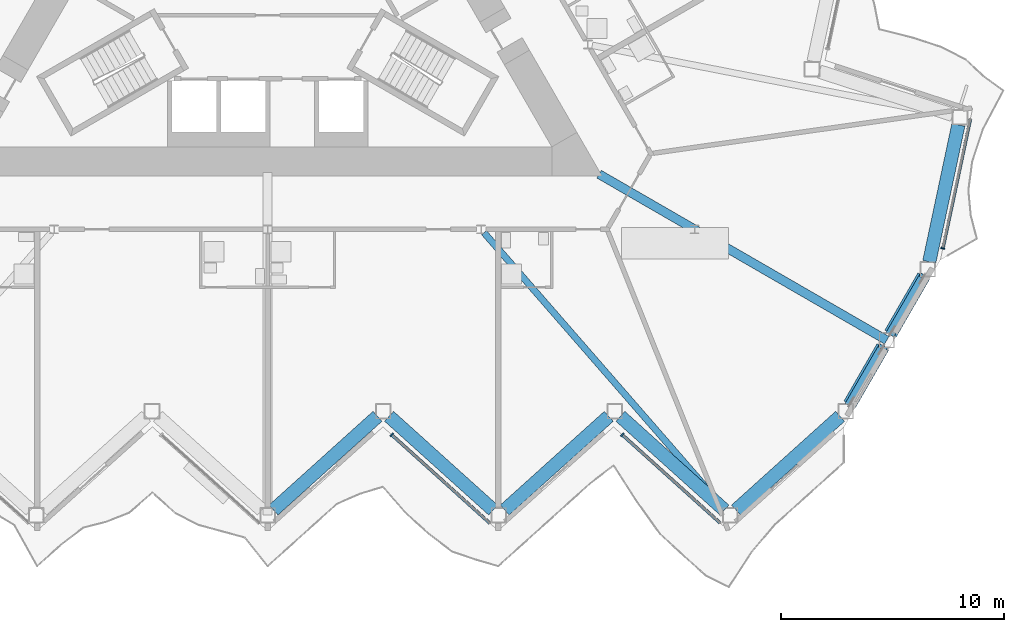
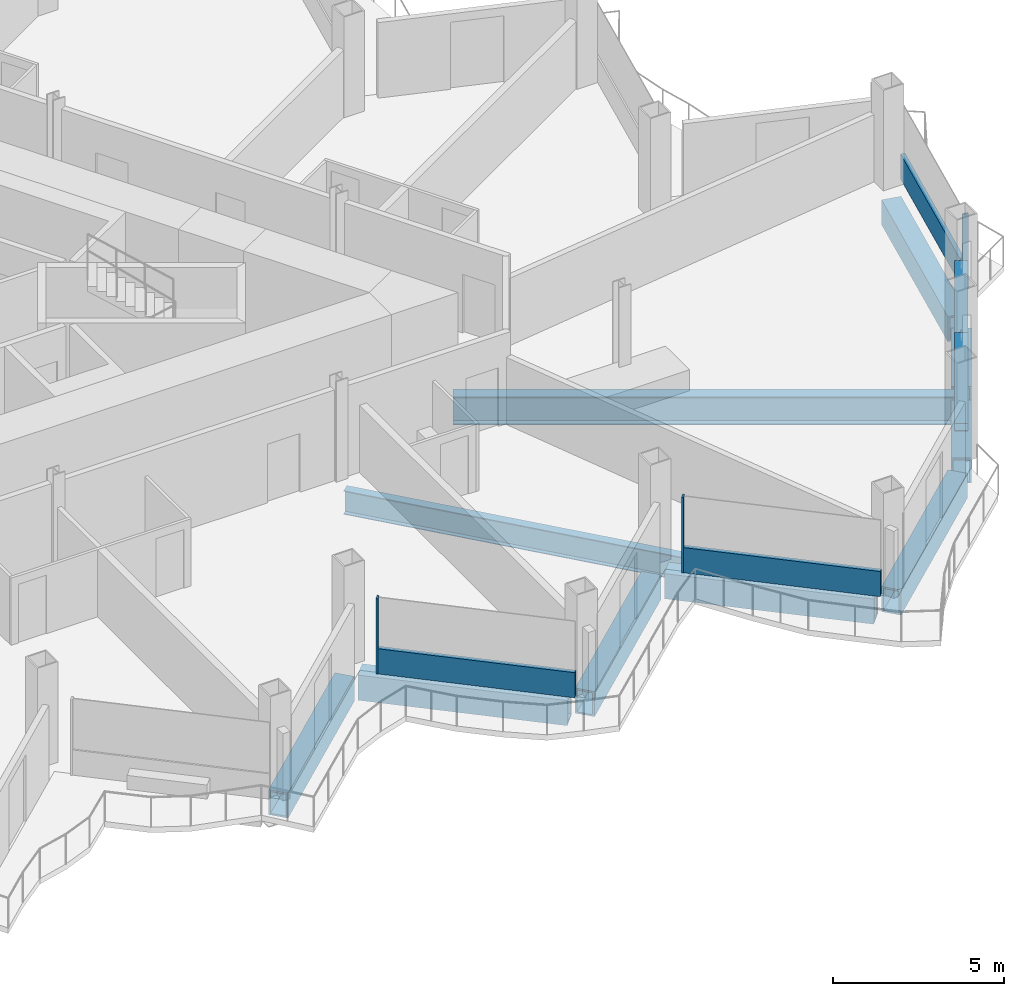
# One storey, part 6 of 24: 9 beams, 9 members, 3 elements without a shape of their own.
"""IFC4 building model written with IfcOpenShell, lengths in metres."""

from ifc_helpers import new_model, si_unit, direction, frame, origin, origin_2d, place, context, subcontext, project, spatial, rectangle, hollow_rectangle, i_section, extrude, material, layer, layer_set, material_profile, profile_set, type_object, element, aggregate, save


model = new_model("IFC4")

# Units and contexts
model_context = context("Model", 3, precision=1e-05, world=origin(), true_north=direction((0.0, 1.0)))
body_context = subcontext(model_context, "Body", "Model", "MODEL_VIEW")
ifc_project = project(units=[si_unit("LENGTHUNIT", "METRE"), si_unit("AREAUNIT", "SQUARE_METRE"), si_unit("VOLUMEUNIT", "CUBIC_METRE"), si_unit("PLANEANGLEUNIT", "RADIAN"), si_unit("MASSUNIT", "GRAM", prefix="KILO")], contexts=[model_context])

# Site, building, storey
site_placement = place(None, origin())
site = spatial("IfcSite", under=ifc_project, at=site_placement, CompositionType="ELEMENT")
building_placement = place(site_placement, origin())
building = spatial("IfcBuilding", under=site, at=building_placement, Name="Cormorant Prow Tower", CompositionType="ELEMENT")
storey_placement = place(building_placement, frame((0.0, 0.0, 231.0)))
storey = spatial("IfcBuildingStorey", under=building, at=storey_placement, Name="L50", CompositionType="ELEMENT", Elevation=231.0)

# Beams
ifc_material_1 = material(Name="Structural steel ASTM A572 Gr 50", Category="steel")
ifc_material_profile_1 = material_profile(ifc_material_1, hollow_rectangle(XDim=0.60009765625, YDim=0.89990234375, WallThickness=0.06005859375, at=origin_2d()), Name="Box 900x600x60")
ifc_profile_set_1 = profile_set([ifc_material_profile_1], Name="Structural steel ASTM A572 Gr 50")
beam_type_1 = type_object("IfcBeamType", Name="Belt truss top chord 900x600x60", PredefinedType="BEAM", material=ifc_profile_set_1)
for number, where, z_axis, x_axis, name in (
    (1, (0.260009765625, -23.65283203125, -0.800048828125), (0.743156918576, 0.669117175368, 0.0), (-0.669117175368, 0.743156918576, 0.0), "Belt truss top chord TC2 S05-S06 L50"),
    (2, (5.4482421875, -19.44970703125, -0.800048828125), (0.743156918576, -0.669117175368, 0.0), (0.669117175368, 0.743156918576, 0.0), "Belt truss top chord TC2 S06-S07 L50"),
    (3, (10.636474609375, -23.65283203125, -0.800048828125), (0.743156918576, 0.669117175368, 0.0), (-0.669117175368, 0.743156918576, 0.0), "Belt truss top chord TC2 S07-S08 L50"),
    (4, (15.82470703125, -19.44970703125, -0.800048828125), (0.743156918576, -0.669117175368, 0.0), (0.669117175368, 0.743156918576, 0.0), "Belt truss top chord TC2 S08-S09 L50"),
    (5, (21.012939453125, -23.65283203125, -0.800048828125), (0.743156918576, 0.669117175368, 0.0), (-0.669117175368, 0.743156918576, 0.0), "Belt truss top chord TC2 S09-ESE00 L50"),
):
    element("IfcBeam", number, at=place(storey_placement, frame(where, z_axis=z_axis, x_axis=x_axis)), inside=storey, type_object=beam_type_1, Name=name, PredefinedType="BEAM", context=body_context, shape_type="SweptSolid", body=[
        extrude(hollow_rectangle(XDim=0.60009765625, YDim=0.89990234375, WallThickness=0.06005859375, at=origin_2d()), origin(), (0.0, 0.0, 1.0), 6.281494140625),
    ])
for number, where, z_axis, x_axis, name in (
    (6, (26.1162109375, -18.912353515625, -0.800048828125), (0.499966725515, 0.866044613965, 0.0), (-0.866044613965, 0.499966725515, 0.0), "Belt truss top chord TC2 ESE00-ESE01 L50"),
    (7, (27.951416015625, -15.733642578125, -0.800048828125), (0.499966725515, 0.866044613965, 0.0), (-0.866044613965, 0.499966725515, 0.0), "Belt truss top chord TC2 ESE01-ENE00 L50"),
):
    element("IfcBeam", number, at=place(storey_placement, frame(where, z_axis=z_axis, x_axis=x_axis)), inside=storey, type_object=beam_type_1, Name=name, PredefinedType="BEAM", context=body_context, shape_type="SweptSolid", body=[
        extrude(hollow_rectangle(XDim=0.60009765625, YDim=0.89990234375, WallThickness=0.06005859375, at=origin_2d()), origin(), (0.0, 0.0, 1.0), 2.970458984375),
    ])
beam_1_placement = place(storey_placement, frame((29.684326171875, -12.515625, -0.800048828125), z_axis=(0.207941499013, 0.978141264331, 0.0), x_axis=(-0.978141264331, 0.207941499013, 0.0)))
element("IfcBeam", 8, at=beam_1_placement, inside=storey, type_object=beam_type_1, Name="Belt truss top chord TC2 ENE00-ENE01 L50", PredefinedType="BEAM", context=body_context, shape_type="SweptSolid", body=[
    extrude(hollow_rectangle(XDim=0.60009765625, YDim=0.89990234375, WallThickness=0.06005859375, at=origin_2d()), origin(), (0.0, 0.0, 1.0), 6.28125),
])

# Members
ifc_material_2 = material(Name="Structural steel ASTM A500 Gr C", Category="steel")
ifc_material_profile_2 = material_profile(ifc_material_2, hollow_rectangle(XDim=0.406494140625, YDim=0.406494140625, WallThickness=0.01171875, at=origin_2d()), Name="HSS16x16x1/2")
ifc_profile_set_2 = profile_set([ifc_material_profile_2], Name="Structural steel ASTM A500 Gr C")
member_type_1 = type_object("IfcMemberType", Name="Chamfer brace HSS16x16x1/2", PredefinedType="BRACE", material=ifc_profile_set_2)
for number, where, z_axis, x_axis, name in (
    (9, (26.1240234375, -18.898681640625, 0.74951171875), (0.462773096913, 0.801606962687, 0.378506721399), (-0.866041729639, 0.499971721724, 0.0), "Chamfer brace BR2 at ESE00 L50"),
    (10, (27.959228515625, -15.719970703125, 0.74951171875), (0.462773096913, 0.801606962687, 0.378506721399), (-0.866041729639, 0.499971721724, 0.0), "Chamfer brace BR2 at ESE01 L50"),
):
    element("IfcMember", number, at=place(storey_placement, frame(where, z_axis=z_axis, x_axis=x_axis)), inside=storey, type_object=member_type_1, Name=name, PredefinedType="BRACE", context=body_context, shape_type="SweptSolid", body=[
        extrude(hollow_rectangle(XDim=0.406494140625, YDim=0.406494140625, WallThickness=0.01171875, at=origin_2d()), origin(), (0.0, 0.0, 1.0), 3.17529296875),
    ])

# Curtain wall, member
ifc_material_3 = material(Name="Aluminium 6063-T6", Category="aluminium")
ifc_layer = layer(ifc_material_3, 0.179931640625)
ifc_layer_set = layer_set([ifc_layer], Name="Aluminium 6063-T6")
curtain_wall_type = type_object("IfcCurtainWallType", Name="Hotel unitised curtain wall 180", PredefinedType="NOTDEFINED", material=ifc_layer_set)
curtain_wall_1_placement = place(storey_placement, origin())
curtain_wall_1 = element("IfcCurtainWall", 11, at=curtain_wall_1_placement, inside=storey, type_object=curtain_wall_type, Name="Hotel curtain wall S06", PredefinedType="NOTDEFINED")
ifc_material_4 = material(Name="Aluminium 6063-T6", Category="aluminium")
ifc_material_profile_3 = material_profile(ifc_material_4, rectangle(XDim=0.179931640625, YDim=0.06005859375, at=origin_2d()), Name="Hotel mullion 60x180")
ifc_profile_set_3 = profile_set([ifc_material_profile_3], Name="Aluminium 6063-T6")
member_type_2 = type_object("IfcMemberType", Name="Hotel mullion 60x180", PredefinedType="MULLION", material=ifc_profile_set_3)
member_1_placement = place(storey_placement, frame((5.56640625, -20.278076171875, 0.0), z_axis=(0.0, 0.0, 1.0), x_axis=(0.669130639913, 0.743144795265, 0.0)))
member_1 = element("IfcMember", 12, at=member_1_placement, type_object=member_type_2, Name="Hotel mullion S06", PredefinedType="MULLION", context=body_context, shape_type="SweptSolid", body=[
    extrude(rectangle(XDim=0.179931640625, YDim=0.06005859375, at=origin_2d()), origin(), (0.0, 0.0, 1.0), 2.700927734375),
])

curtain_wall_2_placement = place(storey_placement, origin())
curtain_wall_2 = element("IfcCurtainWall", 13, at=curtain_wall_2_placement, inside=storey, type_object=curtain_wall_type, Name="Hotel curtain wall S08", PredefinedType="NOTDEFINED")
member_2_placement = place(storey_placement, frame((15.910400390625, -20.278076171875, 0.0), z_axis=(0.0, 0.0, 1.0), x_axis=(0.669130568473, 0.74314485959, 0.0)))
member_2 = element("IfcMember", 14, at=member_2_placement, type_object=member_type_2, Name="Hotel mullion S08", PredefinedType="MULLION", context=body_context, shape_type="SweptSolid", body=[
    extrude(rectangle(XDim=0.179931640625, YDim=0.06005859375, at=origin_2d()), origin(), (0.0, 0.0, 1.0), 2.700927734375),
])

curtain_wall_3_placement = place(storey_placement, origin())
curtain_wall_3 = element("IfcCurtainWall", 15, at=curtain_wall_3_placement, inside=storey, type_object=curtain_wall_type, Name="Hotel curtain wall ENE00", PredefinedType="NOTDEFINED")
member_3_placement = place(storey_placement, frame((30.2939453125, -11.9140625, 0.0), z_axis=(0.0, 0.0, 1.0), x_axis=(-0.978147610241, 0.207911646089, 0.0)))
member_3 = element("IfcMember", 16, at=member_3_placement, type_object=member_type_2, Name="Hotel mullion ENE00", PredefinedType="MULLION", context=body_context, shape_type="SweptSolid", body=[
    extrude(rectangle(XDim=0.179931640625, YDim=0.06005859375, at=origin_2d()), origin(), (0.0, 0.0, 1.0), 2.700927734375),
])

# Member
ifc_material_5 = material(Name="Terracotta", Category="masonry")
ifc_material_profile_4 = material_profile(ifc_material_5, rectangle(XDim=0.139892578125, YDim=0.89990234375, at=origin_2d()), Name="Hotel terracotta spandrel rail 140x900")
ifc_profile_set_4 = profile_set([ifc_material_profile_4], Name="Terracotta")
member_type_3 = type_object("IfcMemberType", Name="Hotel terracotta spandrel rail 140x900", PredefinedType="USERDEFINED", material=ifc_profile_set_4)
member_4_placement = place(storey_placement, frame((5.5888671875, -20.29833984375, 0.449951171875), z_axis=(0.743147975104, -0.669127108328, 0.0), x_axis=(0.669127108328, 0.743147975104, 0.0)))
member_4 = element("IfcMember", 17, at=member_4_placement, type_object=member_type_3, Name="Hotel spandrel rail S06", ObjectType="TRANSOM", PredefinedType="USERDEFINED", context=body_context, shape_type="SweptSolid", body=[
    extrude(rectangle(XDim=0.139892578125, YDim=0.89990234375, at=origin_2d()), origin(), (0.0, 0.0, 1.0), 5.897216796875),
])

aggregate(curtain_wall_1, [member_1, member_4])

member_5_placement = place(storey_placement, frame((15.9326171875, -20.29833984375, 0.449951171875), z_axis=(0.743147975104, -0.669127108328, 0.0), x_axis=(0.669127108328, 0.743147975104, 0.0)))
member_5 = element("IfcMember", 18, at=member_5_placement, type_object=member_type_3, Name="Hotel spandrel rail S08", ObjectType="TRANSOM", PredefinedType="USERDEFINED", context=body_context, shape_type="SweptSolid", body=[
    extrude(rectangle(XDim=0.139892578125, YDim=0.89990234375, at=origin_2d()), origin(), (0.0, 0.0, 1.0), 5.897216796875),
])

aggregate(curtain_wall_2, [member_2, member_5])

member_6_placement = place(storey_placement, frame((30.300048828125, -11.884765625, 0.449951171875), z_axis=(0.207900345408, 0.978150012206, 0.0), x_axis=(-0.978150012206, 0.207900345408, 0.0)))
member_6 = element("IfcMember", 19, at=member_6_placement, type_object=member_type_3, Name="Hotel spandrel rail ENE00", ObjectType="TRANSOM", PredefinedType="USERDEFINED", context=body_context, shape_type="SweptSolid", body=[
    extrude(rectangle(XDim=0.139892578125, YDim=0.89990234375, at=origin_2d()), origin(), (0.0, 0.0, 1.0), 5.8974609375),
])

aggregate(curtain_wall_3, [member_3, member_6])

ifc_material_6 = material(Name="Structural steel ASTM A992 Gr 50", Category="steel")
ifc_material_profile_5 = material_profile(ifc_material_6, i_section(OverallWidth=0.39990234375, OverallDepth=1.000244140625, WebThickness=0.01904296875, FlangeThickness=0.0361328125, at=origin_2d()), Name="W40x249")
ifc_profile_set_5 = profile_set([ifc_material_profile_5], Name="Structural steel ASTM A992 Gr 50")
member_type_4 = type_object("IfcMemberType", Name="Outrigger chord W40x249", PredefinedType="CHORD", material=ifc_profile_set_5)
member_7_placement = place(storey_placement, frame((14.8701171875, -8.585205078125, -0.85009765625), z_axis=(0.866025720378, -0.499999451643, 0.0), x_axis=(0.499999451643, 0.866025720378, 0.0)))
element("IfcMember", 20, at=member_7_placement, inside=storey, type_object=member_type_4, Name="Outrigger top chord 5 L50", PredefinedType="CHORD", context=body_context, shape_type="SweptSolid", body=[
    extrude(i_section(OverallWidth=0.39990234375, OverallDepth=1.000244140625, WebThickness=0.01904296875, FlangeThickness=0.0361328125, at=origin_2d()), origin(), (0.0, 0.0, 1.0), 14.90283203125),
])

# Beam
ifc_material_7 = material(Name="Structural steel ASTM A992 Gr 50", Category="steel")
ifc_material_profile_6 = material_profile(ifc_material_7, i_section(OverallWidth=0.29296875, OverallDepth=0.845703125, WebThickness=0.015380859375, FlangeThickness=0.0244140625, at=origin_2d()), Name="W33x141")
ifc_profile_set_6 = profile_set([ifc_material_profile_6], Name="Structural steel ASTM A992 Gr 50")
beam_type_2 = type_object("IfcBeamType", Name="Radial floor beam W33x141", PredefinedType="BEAM", material=ifc_profile_set_6)
beam_2_placement = place(storey_placement, frame((9.70947265625, -11.210693359375, -0.77294921875), z_axis=(0.656874593387, -0.753999846527, 0.0), x_axis=(0.753999846527, 0.656874593387, 0.0)))
element("IfcBeam", 21, at=beam_2_placement, inside=storey, type_object=beam_type_2, Name="Radial floor beam FB2 8 L50", PredefinedType="BEAM", context=body_context, shape_type="SweptSolid", body=[
    extrude(i_section(OverallWidth=0.29296875, OverallDepth=0.845703125, WebThickness=0.015380859375, FlangeThickness=0.0244140625, at=origin_2d()), origin(), (0.0, 0.0, 1.0), 16.4619140625),
])

save(model, "model.ifc")
